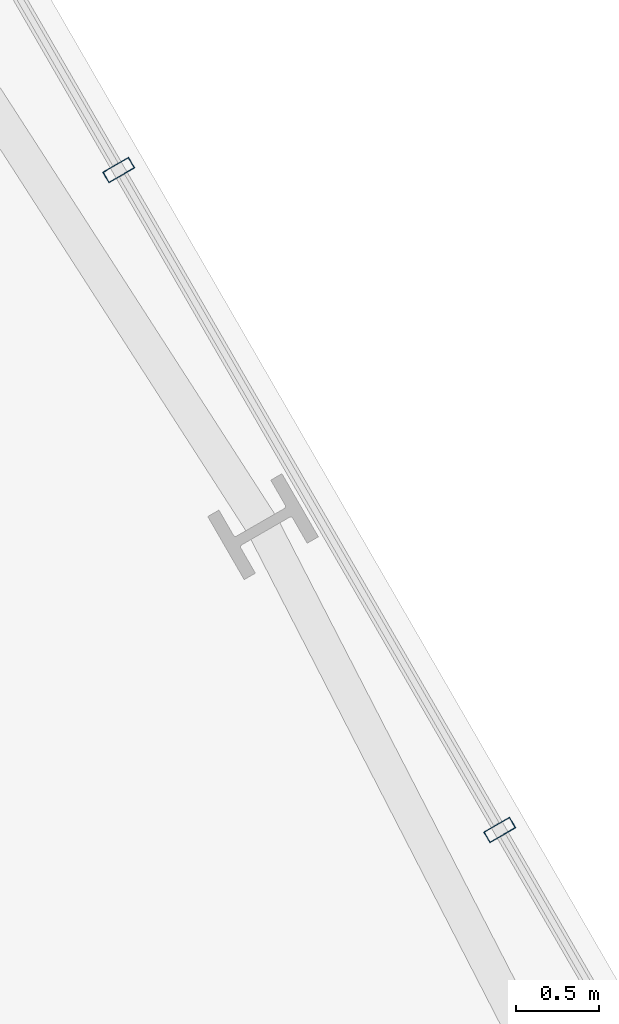
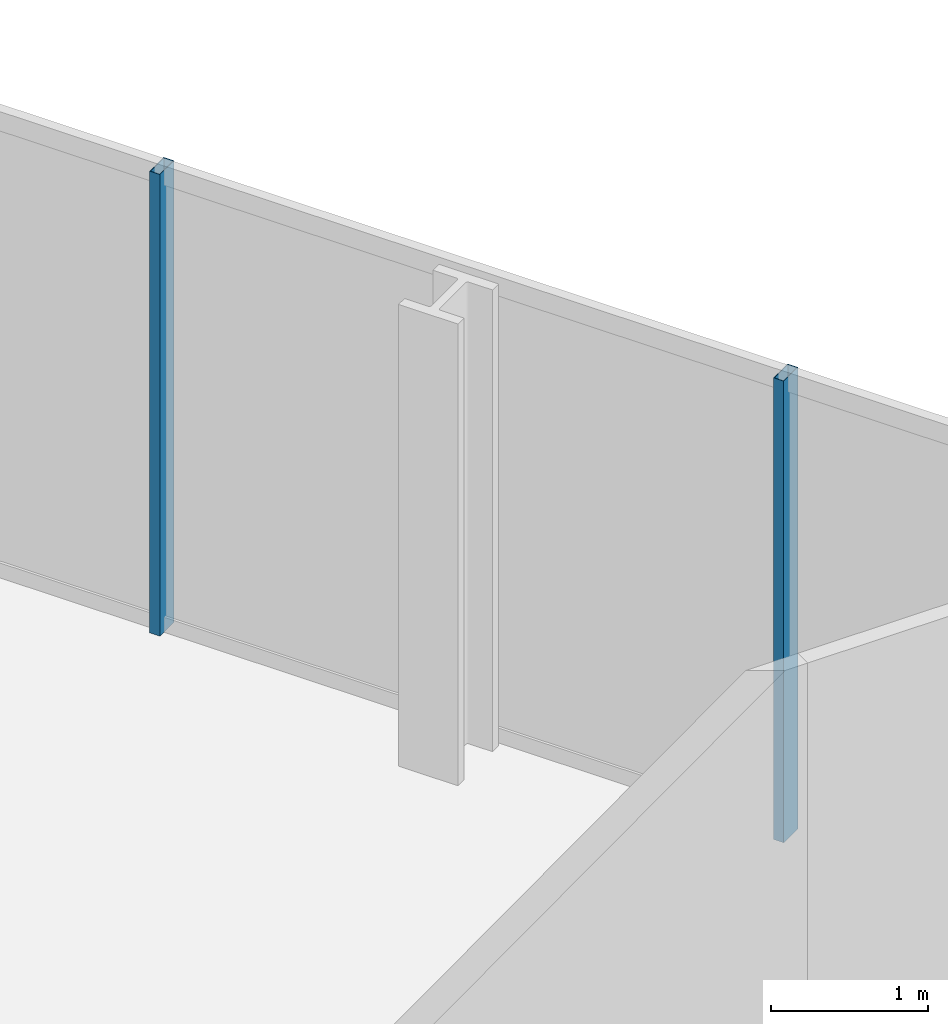
# One storey, part 21 of 32: 2 members, 1 element without a shape of its own.
"""IFC4 building model written with IfcOpenShell, lengths in metres."""

from ifc_helpers import new_model, si_unit, direction, frame, origin, origin_2d, place, context, subcontext, project, spatial, hollow_rectangle, extrude, material, layer, layer_set, material_profile, profile_set, type_object, element, aggregate, save


model = new_model("IFC4")

# Units and contexts
model_context = context("Model", 3, precision=1e-05, world=origin(), true_north=direction((0.0, 1.0)))
body_context = subcontext(model_context, "Body", "Model", "MODEL_VIEW")
ifc_project = project(units=[si_unit("LENGTHUNIT", "METRE"), si_unit("AREAUNIT", "SQUARE_METRE"), si_unit("VOLUMEUNIT", "CUBIC_METRE"), si_unit("PLANEANGLEUNIT", "RADIAN"), si_unit("MASSUNIT", "GRAM", prefix="KILO")], contexts=[model_context])

# Site, building, storey
site_placement = place(None, origin())
site = spatial("IfcSite", under=ifc_project, at=site_placement, CompositionType="ELEMENT")
building_placement = place(site_placement, origin())
building = spatial("IfcBuilding", under=site, at=building_placement, Name="Ndaravel Arena Tower", CompositionType="ELEMENT")
storey_placement = place(building_placement, frame((0.0, 0.0, 74.0)))
storey = spatial("IfcBuildingStorey", under=building, at=storey_placement, Name="L16", CompositionType="ELEMENT", Elevation=74.0)

# Curtain wall, members
ifc_material_1 = material(Name="Aluminium", Category="aluminium")
ifc_layer = layer(ifc_material_1, 0.179931640625)
ifc_layer_set = layer_set([ifc_layer], Name="Aluminium")
curtain_wall_type = type_object("IfcCurtainWallType", Name="CW-SYS-03", PredefinedType="NOTDEFINED", material=ifc_layer_set)
curtain_wall_placement = place(storey_placement, origin())
curtain_wall = element("IfcCurtainWall", 1, at=curtain_wall_placement, inside=storey, type_object=curtain_wall_type, Name="L16 Faceted Crystal Curtain Wall CW-L16-E03", PredefinedType="NOTDEFINED")
ifc_material_2 = material(Name="Aluminium", Category="aluminium")
ifc_material_profile = material_profile(ifc_material_2, hollow_rectangle(XDim=0.074951171875, YDim=0.179931640625, WallThickness=0.00390625, at=origin_2d()), Name="CW MULLION 75x180x4")
ifc_profile_set = profile_set([ifc_material_profile], Name="Aluminium")
member_type = type_object("IfcMemberType", Name="MEM-CW-MUL180", PredefinedType="MULLION", material=ifc_profile_set)
member_1_placement = place(storey_placement, frame((58.637939453125, 30.014892578125, 0.0), z_axis=(0.0, 0.0, 1.0), x_axis=(-0.5, 0.866025403784, 0.0)))
member_1 = element("IfcMember", 2, at=member_1_placement, type_object=member_type, Name="CW-L16-E03 Mullion 03", PredefinedType="MULLION", context=body_context, shape_type="SweptSolid", body=[
    extrude(hollow_rectangle(XDim=0.074951171875, YDim=0.179931640625, WallThickness=0.00390625, at=origin_2d()), origin(), (0.0, 0.0, 1.0), 3.580078125),
])
member_2_placement = place(storey_placement, frame((56.35009765625, 33.977783203125, 0.0), z_axis=(0.0, 0.0, 1.0), x_axis=(-0.5, 0.866025403784, 0.0)))
member_2 = element("IfcMember", 3, at=member_2_placement, type_object=member_type, Name="CW-L16-E03 Mullion 04", PredefinedType="MULLION", context=body_context, shape_type="SweptSolid", body=[
    extrude(hollow_rectangle(XDim=0.074951171875, YDim=0.179931640625, WallThickness=0.00390625, at=origin_2d()), origin(), (0.0, 0.0, 1.0), 3.580078125),
])
aggregate(curtain_wall, [member_1, member_2])

save(model, "model.ifc")
